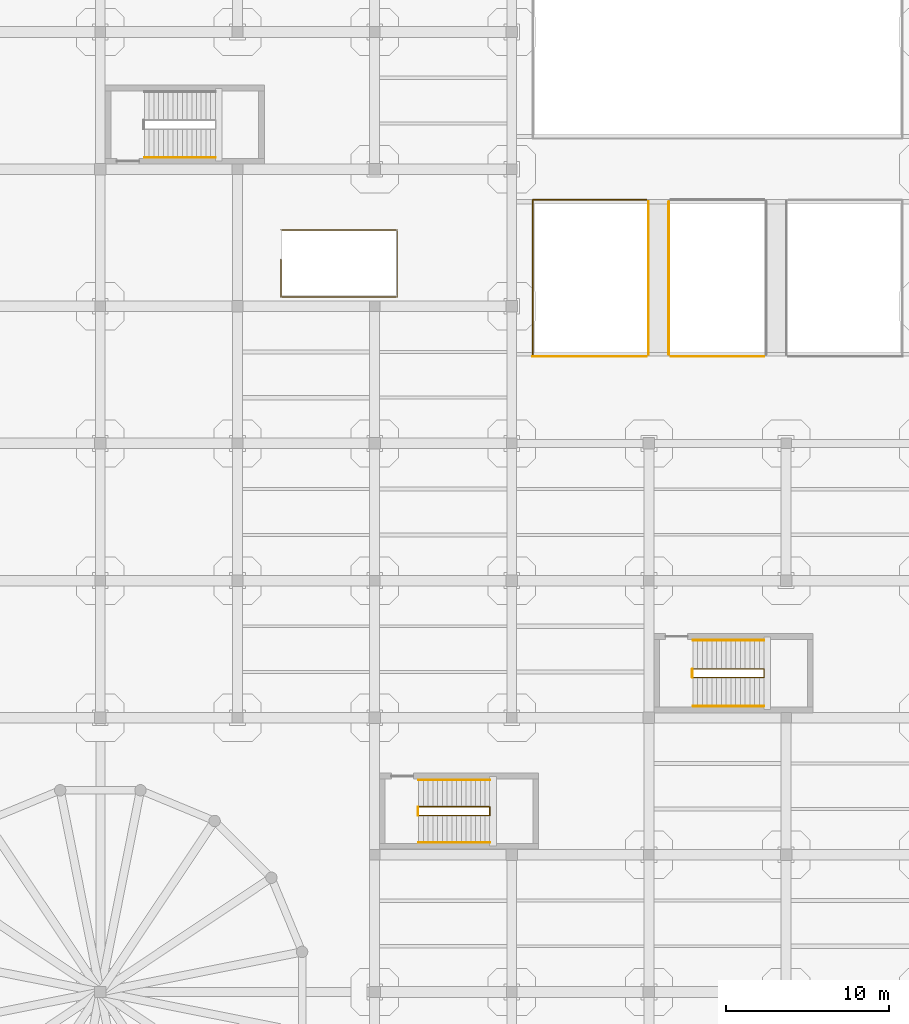
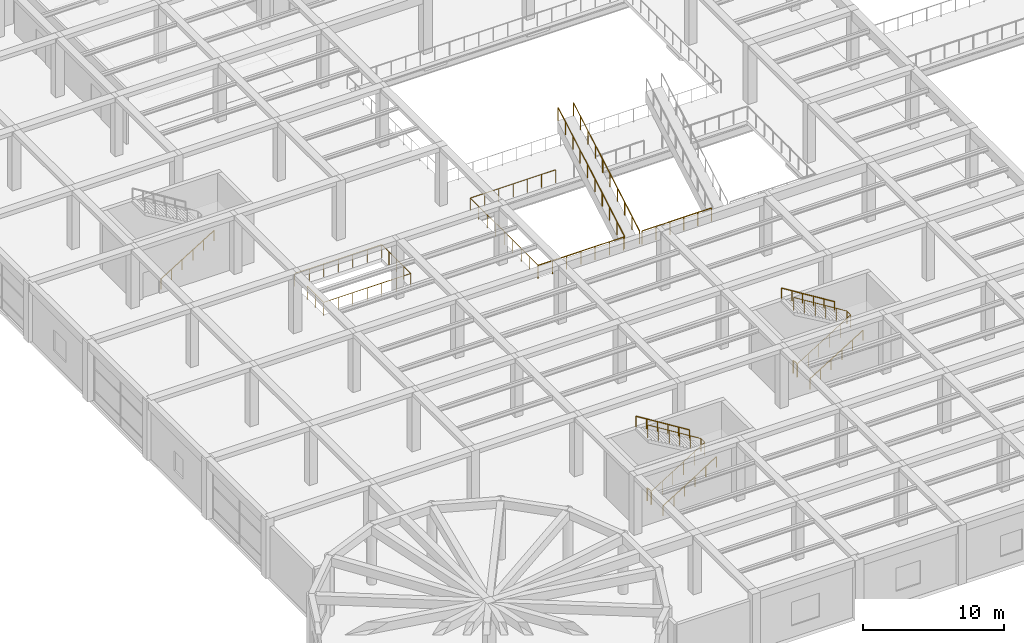
# One storey, part 55 of 65: 15 railings.
"""IFC4 building model written with IfcOpenShell, lengths in metres."""

from ifc_helpers import new_model, si_unit, direction, frame, origin, origin_2d, place, context, subcontext, project, spatial, circle, extrude, material, type_object, element, save


model = new_model("IFC4")

# Units and contexts
model_context = context("Model", 3, precision=1e-05, world=origin(), true_north=direction((0.0, 1.0)))
body_context = subcontext(model_context, "Body", "Model", "MODEL_VIEW")
ifc_project = project(units=[si_unit("LENGTHUNIT", "METRE"), si_unit("AREAUNIT", "SQUARE_METRE"), si_unit("VOLUMEUNIT", "CUBIC_METRE"), si_unit("PLANEANGLEUNIT", "RADIAN"), si_unit("MASSUNIT", "GRAM", prefix="KILO")], contexts=[model_context])

# Site, building, storey
site_placement = place(None, origin())
site = spatial("IfcSite", under=ifc_project, at=site_placement, CompositionType="ELEMENT")
building_placement = place(site_placement, origin())
building = spatial("IfcBuilding", under=site, at=building_placement, Name="Almacenes y Pasaje Nevantli", CompositionType="ELEMENT")
storey_placement = place(building_placement, frame((0.0, 0.0, 16.800048828125)))
storey = spatial("IfcBuildingStorey", under=building, at=storey_placement, Name="L04", CompositionType="ELEMENT", Elevation=16.800048828125)

# Railings
ifc_material_1 = material(Name="Brushed Stainless Steel and Tempered Safety Glass", Category="steel")
railing_type_1 = type_object("IfcRailingType", Name="RL-GUARD-1100", PredefinedType="BALUSTRADE", material=ifc_material_1)
railing_1_placement = place(storey_placement, frame((27.89990234375, 19.2099609375, 0.0)))
element("IfcRailing", 1, at=railing_1_placement, inside=storey, type_object=railing_type_1, Name="L04 Stair ST-04 Inner Well Guard Balustrade", PredefinedType="BALUSTRADE", context=body_context, shape_type="SweptSolid", body=[
    extrude(circle(Radius=0.02392578125, at=origin_2d()), frame((0.025390625, 0.0, 1.1416015625), z_axis=(0.849649743971, 0.0, 0.527347430608), x_axis=(0.0, 1.0, 0.0)), (0.0, 0.0, 1.0), 5.059814453125),
    extrude(circle(Radius=0.02392578125, at=origin_2d()), frame((4.35009765625, 0.030029296875, 3.82568359375), z_axis=(0.0, 1.0, 0.0), x_axis=(-1.0, 0.0, 0.0)), (0.0, 0.0, 1.0), 0.469970703125),
    extrude(circle(Radius=0.02392578125, at=origin_2d()), frame((4.32470703125, 0.530029296875, 3.841552734375), z_axis=(-0.849649743971, 0.0, 0.527347430608), x_axis=(0.0, -1.0, 0.0)), (0.0, 0.0, 1.0), 5.059814453125),
    extrude(circle(Radius=0.02099609375, at=origin_2d()), origin(), (0.0, 0.0, 1.0), 1.096923828125),
    extrude(circle(Radius=0.02099609375, at=origin_2d()), frame((0.8701171875, 0.0, 0.5400390625)), (0.0, 0.0, 1.0), 1.096923828125),
    extrude(circle(Radius=0.02099609375, at=origin_2d()), frame((1.739990234375, 0.0, 1.080078125)), (0.0, 0.0, 1.0), 1.096923828125),
    extrude(circle(Radius=0.02099609375, at=origin_2d()), frame((2.610107421875, 0.0, 1.619873046875)), (0.0, 0.0, 1.0), 1.096923828125),
    extrude(circle(Radius=0.02099609375, at=origin_2d()), frame((3.47998046875, 0.0, 2.159912109375)), (0.0, 0.0, 1.0), 1.096923828125),
    extrude(circle(Radius=0.02099609375, at=origin_2d()), frame((4.35009765625, 0.0, 2.699951171875)), (0.0, 0.0, 1.0), 1.096923828125),
    extrude(circle(Radius=0.02099609375, at=origin_2d()), frame((4.35009765625, 0.530029296875, 2.699951171875)), (0.0, 0.0, 1.0), 1.096923828125),
    extrude(circle(Radius=0.02099609375, at=origin_2d()), frame((3.47998046875, 0.530029296875, 3.239990234375)), (0.0, 0.0, 1.0), 1.096923828125),
    extrude(circle(Radius=0.02099609375, at=origin_2d()), frame((2.610107421875, 0.530029296875, 3.780029296875)), (0.0, 0.0, 1.0), 1.096923828125),
    extrude(circle(Radius=0.02099609375, at=origin_2d()), frame((1.739990234375, 0.530029296875, 4.31982421875)), (0.0, 0.0, 1.0), 1.096923828125),
    extrude(circle(Radius=0.02099609375, at=origin_2d()), frame((0.8701171875, 0.530029296875, 4.85986328125)), (0.0, 0.0, 1.0), 1.096923828125),
    extrude(circle(Radius=0.02099609375, at=origin_2d()), frame((0.0, 0.530029296875, 5.39990234375)), (0.0, 0.0, 1.0), 1.096923828125),
])
railing_2_placement = place(storey_placement, frame((27.860107421875, 19.2099609375, 0.0)))
element("IfcRailing", 2, at=railing_2_placement, inside=storey, type_object=railing_type_1, Name="L04 Stair ST-04 Landing Well Slot Guard", PredefinedType="BALUSTRADE", context=body_context, shape_type="SweptSolid", body=[
    extrude(circle(Radius=0.02392578125, at=origin_2d()), frame((0.0, 0.030029296875, 1.1259765625), z_axis=(0.0, 1.0, 0.0), x_axis=(-1.0, 0.0, 0.0)), (0.0, 0.0, 1.0), 0.469970703125),
    extrude(circle(Radius=0.02099609375, at=origin_2d()), origin(), (0.0, 0.0, 1.0), 1.096923828125),
    extrude(circle(Radius=0.02099609375, at=origin_2d()), frame((0.0, 0.530029296875, 0.0)), (0.0, 0.0, 1.0), 1.096923828125),
])
railing_3_placement = place(storey_placement, frame((44.699951171875, 27.659912109375, 0.0)))
element("IfcRailing", 3, at=railing_3_placement, inside=storey, type_object=railing_type_1, Name="L04 Stair ST-14 Inner Well Guard Balustrade", PredefinedType="BALUSTRADE", context=body_context, shape_type="SweptSolid", body=[
    extrude(circle(Radius=0.02392578125, at=origin_2d()), frame((0.025390625, 0.0, 1.1416015625), z_axis=(0.849649743971, 0.0, 0.527347430608), x_axis=(0.0, 1.0, 0.0)), (0.0, 0.0, 1.0), 5.059814453125),
    extrude(circle(Radius=0.02392578125, at=origin_2d()), frame((4.35009765625, 0.030029296875, 3.82568359375), z_axis=(0.0, 1.0, 0.0), x_axis=(-1.0, 0.0, 0.0)), (0.0, 0.0, 1.0), 0.469970703125),
    extrude(circle(Radius=0.02392578125, at=origin_2d()), frame((4.32470703125, 0.530029296875, 3.841552734375), z_axis=(-0.849649743971, 0.0, 0.527347430608), x_axis=(0.0, -1.0, 0.0)), (0.0, 0.0, 1.0), 5.059814453125),
    extrude(circle(Radius=0.02099609375, at=origin_2d()), origin(), (0.0, 0.0, 1.0), 1.096923828125),
    extrude(circle(Radius=0.02099609375, at=origin_2d()), frame((0.8701171875, 0.0, 0.5400390625)), (0.0, 0.0, 1.0), 1.096923828125),
    extrude(circle(Radius=0.02099609375, at=origin_2d()), frame((1.739990234375, 0.0, 1.080078125)), (0.0, 0.0, 1.0), 1.096923828125),
    extrude(circle(Radius=0.02099609375, at=origin_2d()), frame((2.610107421875, 0.0, 1.619873046875)), (0.0, 0.0, 1.0), 1.096923828125),
    extrude(circle(Radius=0.02099609375, at=origin_2d()), frame((3.47998046875, 0.0, 2.159912109375)), (0.0, 0.0, 1.0), 1.096923828125),
    extrude(circle(Radius=0.02099609375, at=origin_2d()), frame((4.35009765625, 0.0, 2.699951171875)), (0.0, 0.0, 1.0), 1.096923828125),
    extrude(circle(Radius=0.02099609375, at=origin_2d()), frame((4.35009765625, 0.530029296875, 2.699951171875)), (0.0, 0.0, 1.0), 1.096923828125),
    extrude(circle(Radius=0.02099609375, at=origin_2d()), frame((3.47998046875, 0.530029296875, 3.239990234375)), (0.0, 0.0, 1.0), 1.096923828125),
    extrude(circle(Radius=0.02099609375, at=origin_2d()), frame((2.610107421875, 0.530029296875, 3.780029296875)), (0.0, 0.0, 1.0), 1.096923828125),
    extrude(circle(Radius=0.02099609375, at=origin_2d()), frame((1.739990234375, 0.530029296875, 4.31982421875)), (0.0, 0.0, 1.0), 1.096923828125),
    extrude(circle(Radius=0.02099609375, at=origin_2d()), frame((0.8701171875, 0.530029296875, 4.85986328125)), (0.0, 0.0, 1.0), 1.096923828125),
    extrude(circle(Radius=0.02099609375, at=origin_2d()), frame((0.0, 0.530029296875, 5.39990234375)), (0.0, 0.0, 1.0), 1.096923828125),
])
railing_4_placement = place(storey_placement, frame((44.659912109375, 27.659912109375, 0.0)))
element("IfcRailing", 4, at=railing_4_placement, inside=storey, type_object=railing_type_1, Name="L04 Stair ST-14 Landing Well Slot Guard", PredefinedType="BALUSTRADE", context=body_context, shape_type="SweptSolid", body=[
    extrude(circle(Radius=0.02392578125, at=origin_2d()), frame((0.0, 0.030029296875, 1.1259765625), z_axis=(0.0, 1.0, 0.0), x_axis=(-1.0, 0.0, 0.0)), (0.0, 0.0, 1.0), 0.469970703125),
    extrude(circle(Radius=0.02099609375, at=origin_2d()), origin(), (0.0, 0.0, 1.0), 1.096923828125),
    extrude(circle(Radius=0.02099609375, at=origin_2d()), frame((0.0, 0.530029296875, 0.0)), (0.0, 0.0, 1.0), 1.096923828125),
])
railing_5_placement = place(storey_placement, frame((19.4599609375, 53.2900390625, 0.0)))
element("IfcRailing", 5, at=railing_5_placement, inside=storey, type_object=railing_type_1, Name="L04 Monumental Stair ST-11 Top Floor Opening Guard", PredefinedType="BALUSTRADE", context=body_context, shape_type="SweptSolid", body=[
    extrude(circle(Radius=0.02392578125, at=origin_2d()), frame((0.0, -0.030029296875, 1.1259765625), z_axis=(0.0, -1.0, 0.0), x_axis=(1.0, 0.0, 0.0)), (0.0, 0.0, 1.0), 2.260009765625),
    extrude(circle(Radius=0.02392578125, at=origin_2d()), frame((0.030029296875, -2.320068359375, 1.1259765625), z_axis=(1.0, 0.0, 0.0), x_axis=(0.0, 1.0, 0.0)), (0.0, 0.0, 1.0), 7.06005859375),
    extrude(circle(Radius=0.02392578125, at=origin_2d()), frame((7.1201171875, -2.2900390625, 1.1259765625), z_axis=(0.0, 1.0, 0.0), x_axis=(-1.0, 0.0, 0.0)), (0.0, 0.0, 1.0), 4.050048828125),
    extrude(circle(Radius=0.02392578125, at=origin_2d()), frame((7.090087890625, 1.7900390625, 1.1259765625), z_axis=(-1.0, 0.0, 0.0), x_axis=(0.0, -1.0, 0.0)), (0.0, 0.0, 1.0), 7.06005859375),
    extrude(circle(Radius=0.02099609375, at=origin_2d()), origin(), (0.0, 0.0, 1.0), 1.096923828125),
    extrude(circle(Radius=0.02099609375, at=origin_2d()), frame((0.0, -1.16015625, 0.0)), (0.0, 0.0, 1.0), 1.096923828125),
    extrude(circle(Radius=0.02099609375, at=origin_2d()), frame((0.0, -2.320068359375, 0.0)), (0.0, 0.0, 1.0), 1.096923828125),
    extrude(circle(Radius=0.02099609375, at=origin_2d()), frame((1.186767578125, -2.320068359375, 0.0)), (0.0, 0.0, 1.0), 1.096923828125),
    extrude(circle(Radius=0.02099609375, at=origin_2d()), frame((2.373291015625, -2.320068359375, 0.0)), (0.0, 0.0, 1.0), 1.096923828125),
    extrude(circle(Radius=0.02099609375, at=origin_2d()), frame((3.56005859375, -2.320068359375, 0.0)), (0.0, 0.0, 1.0), 1.096923828125),
    extrude(circle(Radius=0.02099609375, at=origin_2d()), frame((4.746826171875, -2.320068359375, 0.0)), (0.0, 0.0, 1.0), 1.096923828125),
    extrude(circle(Radius=0.02099609375, at=origin_2d()), frame((5.933349609375, -2.320068359375, 0.0)), (0.0, 0.0, 1.0), 1.096923828125),
    extrude(circle(Radius=0.02099609375, at=origin_2d()), frame((7.1201171875, -2.320068359375, 0.0)), (0.0, 0.0, 1.0), 1.096923828125),
    extrude(circle(Radius=0.02099609375, at=origin_2d()), frame((7.1201171875, -1.29248046875, 0.0)), (0.0, 0.0, 1.0), 1.096923828125),
    extrude(circle(Radius=0.02099609375, at=origin_2d()), frame((7.1201171875, -0.26513671875, 0.0)), (0.0, 0.0, 1.0), 1.096923828125),
    extrude(circle(Radius=0.02099609375, at=origin_2d()), frame((7.1201171875, 0.762451171875, 0.0)), (0.0, 0.0, 1.0), 1.096923828125),
    extrude(circle(Radius=0.02099609375, at=origin_2d()), frame((7.1201171875, 1.7900390625, 0.0)), (0.0, 0.0, 1.0), 1.096923828125),
    extrude(circle(Radius=0.02099609375, at=origin_2d()), frame((5.933349609375, 1.7900390625, 0.0)), (0.0, 0.0, 1.0), 1.096923828125),
    extrude(circle(Radius=0.02099609375, at=origin_2d()), frame((4.746826171875, 1.7900390625, 0.0)), (0.0, 0.0, 1.0), 1.096923828125),
    extrude(circle(Radius=0.02099609375, at=origin_2d()), frame((3.56005859375, 1.7900390625, 0.0)), (0.0, 0.0, 1.0), 1.096923828125),
    extrude(circle(Radius=0.02099609375, at=origin_2d()), frame((2.373291015625, 1.7900390625, 0.0)), (0.0, 0.0, 1.0), 1.096923828125),
    extrude(circle(Radius=0.02099609375, at=origin_2d()), frame((1.186767578125, 1.7900390625, 0.0)), (0.0, 0.0, 1.0), 1.096923828125),
    extrude(circle(Radius=0.02099609375, at=origin_2d()), frame((0.0, 1.7900390625, 0.0)), (0.0, 0.0, 1.0), 1.096923828125),
])
for number, where, name in (
    (6, (41.97998046875, 47.449951171875, 0.0), "Atrium Escalator ESC-07 W Balustrade"),
    (7, (43.219970703125, 47.449951171875, 0.0), "Atrium Escalator ESC-07 E Balustrade"),
):
    element("IfcRailing", number, at=place(storey_placement, frame(where)), inside=storey, type_object=railing_type_1, Name=name, PredefinedType="BALUSTRADE", context=body_context, shape_type="SweptSolid", body=[
        extrude(circle(Radius=0.02392578125, at=origin_2d()), frame((0.0, 0.02587890625, 1.140869140625), z_axis=(0.0, 0.865960390863, 0.50011258878), x_axis=(-1.0, 0.0, 0.0)), (0.0, 0.0, 1.0), 10.7373046875),
        extrude(circle(Radius=0.02099609375, at=origin_2d()), origin(), (0.0, 0.0, 1.0), 1.096923828125),
        extrude(circle(Radius=0.02099609375, at=origin_2d()), frame((0.0, 1.038818359375, 0.60009765625)), (0.0, 0.0, 1.0), 1.096923828125),
        extrude(circle(Radius=0.02099609375, at=origin_2d()), frame((0.0, 2.077880859375, 1.199951171875)), (0.0, 0.0, 1.0), 1.096923828125),
        extrude(circle(Radius=0.02099609375, at=origin_2d()), frame((0.0, 3.11669921875, 1.800048828125)), (0.0, 0.0, 1.0), 1.096923828125),
        extrude(circle(Radius=0.02099609375, at=origin_2d()), frame((0.0, 4.155517578125, 2.39990234375)), (0.0, 0.0, 1.0), 1.096923828125),
        extrude(circle(Radius=0.02099609375, at=origin_2d()), frame((0.0, 5.194580078125, 3.0)), (0.0, 0.0, 1.0), 1.096923828125),
        extrude(circle(Radius=0.02099609375, at=origin_2d()), frame((0.0, 6.2333984375, 3.599853515625)), (0.0, 0.0, 1.0), 1.096923828125),
        extrude(circle(Radius=0.02099609375, at=origin_2d()), frame((0.0, 7.272216796875, 4.199951171875)), (0.0, 0.0, 1.0), 1.096923828125),
        extrude(circle(Radius=0.02099609375, at=origin_2d()), frame((0.0, 8.311279296875, 4.7998046875)), (0.0, 0.0, 1.0), 1.096923828125),
        extrude(circle(Radius=0.02099609375, at=origin_2d()), frame((0.0, 9.35009765625, 5.39990234375)), (0.0, 0.0, 1.0), 1.096923828125),
    ])
railing_6_placement = place(storey_placement, frame((41.85009765625, 56.919921875, 0.0)))
element("IfcRailing", 8, at=railing_6_placement, inside=storey, type_object=railing_type_1, Name="L04 South Atrium Void West Guard Balustrade", PredefinedType="BALUSTRADE", context=body_context, shape_type="SweptSolid", body=[
    extrude(circle(Radius=0.02392578125, at=origin_2d()), frame((-0.030029296875, 0.0, 1.1259765625), z_axis=(-1.0, 0.0, 0.0), x_axis=(0.0, -1.0, 0.0)), (0.0, 0.0, 1.0), 6.91015625),
    extrude(circle(Radius=0.02392578125, at=origin_2d()), frame((-6.97021484375, -0.030029296875, 1.1259765625), z_axis=(0.0, -1.0, 0.0), x_axis=(1.0, 0.0, 0.0)), (0.0, 0.0, 1.0), 9.52978515625),
    extrude(circle(Radius=0.02099609375, at=origin_2d()), origin(), (0.0, 0.0, 1.0), 1.096923828125),
    extrude(circle(Radius=0.02099609375, at=origin_2d()), frame((-1.16162109375, 0.0, 0.0)), (0.0, 0.0, 1.0), 1.096923828125),
    extrude(circle(Radius=0.02099609375, at=origin_2d()), frame((-2.323486328125, 0.0, 0.0)), (0.0, 0.0, 1.0), 1.096923828125),
    extrude(circle(Radius=0.02099609375, at=origin_2d()), frame((-3.485107421875, 0.0, 0.0)), (0.0, 0.0, 1.0), 1.096923828125),
    extrude(circle(Radius=0.02099609375, at=origin_2d()), frame((-4.646728515625, 0.0, 0.0)), (0.0, 0.0, 1.0), 1.096923828125),
    extrude(circle(Radius=0.02099609375, at=origin_2d()), frame((-5.80859375, 0.0, 0.0)), (0.0, 0.0, 1.0), 1.096923828125),
    extrude(circle(Radius=0.02099609375, at=origin_2d()), frame((-6.97021484375, 0.0, 0.0)), (0.0, 0.0, 1.0), 1.096923828125),
    extrude(circle(Radius=0.02099609375, at=origin_2d()), frame((-6.97021484375, -1.19873046875, 0.0)), (0.0, 0.0, 1.0), 1.096923828125),
    extrude(circle(Radius=0.02099609375, at=origin_2d()), frame((-6.97021484375, -2.3974609375, 0.0)), (0.0, 0.0, 1.0), 1.096923828125),
    extrude(circle(Radius=0.02099609375, at=origin_2d()), frame((-6.97021484375, -3.59619140625, 0.0)), (0.0, 0.0, 1.0), 1.096923828125),
    extrude(circle(Radius=0.02099609375, at=origin_2d()), frame((-6.97021484375, -4.794921875, 0.0)), (0.0, 0.0, 1.0), 1.096923828125),
    extrude(circle(Radius=0.02099609375, at=origin_2d()), frame((-6.97021484375, -5.99365234375, 0.0)), (0.0, 0.0, 1.0), 1.096923828125),
    extrude(circle(Radius=0.02099609375, at=origin_2d()), frame((-6.97021484375, -7.1923828125, 0.0)), (0.0, 0.0, 1.0), 1.096923828125),
    extrude(circle(Radius=0.02099609375, at=origin_2d()), frame((-6.97021484375, -8.39111328125, 0.0)), (0.0, 0.0, 1.0), 1.096923828125),
    extrude(circle(Radius=0.02099609375, at=origin_2d()), frame((-6.97021484375, -9.58984375, 0.0)), (0.0, 0.0, 1.0), 1.096923828125),
])
railing_7_placement = place(storey_placement, frame((34.8798828125, 47.330078125, 0.0)))
element("IfcRailing", 9, at=railing_7_placement, inside=storey, type_object=railing_type_1, Name="L04 South Atrium South-West Guard", PredefinedType="BALUSTRADE", context=body_context, shape_type="SweptSolid", body=[
    extrude(circle(Radius=0.02392578125, at=origin_2d()), frame((0.030029296875, 0.0, 1.1259765625), z_axis=(1.0, 0.0, 0.0), x_axis=(0.0, 1.0, 0.0)), (0.0, 0.0, 1.0), 6.91015625),
    extrude(circle(Radius=0.02099609375, at=origin_2d()), origin(), (0.0, 0.0, 1.0), 1.096923828125),
    extrude(circle(Radius=0.02099609375, at=origin_2d()), frame((1.16162109375, 0.0, 0.0)), (0.0, 0.0, 1.0), 1.096923828125),
    extrude(circle(Radius=0.02099609375, at=origin_2d()), frame((2.323486328125, 0.0, 0.0)), (0.0, 0.0, 1.0), 1.096923828125),
    extrude(circle(Radius=0.02099609375, at=origin_2d()), frame((3.485107421875, 0.0, 0.0)), (0.0, 0.0, 1.0), 1.096923828125),
    extrude(circle(Radius=0.02099609375, at=origin_2d()), frame((4.646728515625, 0.0, 0.0)), (0.0, 0.0, 1.0), 1.096923828125),
    extrude(circle(Radius=0.02099609375, at=origin_2d()), frame((5.80859375, 0.0, 0.0)), (0.0, 0.0, 1.0), 1.096923828125),
    extrude(circle(Radius=0.02099609375, at=origin_2d()), frame((6.97021484375, 0.0, 0.0)), (0.0, 0.0, 1.0), 1.096923828125),
])
railing_8_placement = place(storey_placement, frame((43.35009765625, 47.330078125, 0.0)))
element("IfcRailing", 10, at=railing_8_placement, inside=storey, type_object=railing_type_1, Name="L04 South Atrium South-Mid Guard", PredefinedType="BALUSTRADE", context=body_context, shape_type="SweptSolid", body=[
    extrude(circle(Radius=0.02392578125, at=origin_2d()), frame((0.030029296875, 0.0, 1.1259765625), z_axis=(1.0, 0.0, 0.0), x_axis=(0.0, 1.0, 0.0)), (0.0, 0.0, 1.0), 5.639892578125),
    extrude(circle(Radius=0.02099609375, at=origin_2d()), origin(), (0.0, 0.0, 1.0), 1.096923828125),
    extrude(circle(Radius=0.02099609375, at=origin_2d()), frame((1.139892578125, 0.0, 0.0)), (0.0, 0.0, 1.0), 1.096923828125),
    extrude(circle(Radius=0.02099609375, at=origin_2d()), frame((2.280029296875, 0.0, 0.0)), (0.0, 0.0, 1.0), 1.096923828125),
    extrude(circle(Radius=0.02099609375, at=origin_2d()), frame((3.419921875, 0.0, 0.0)), (0.0, 0.0, 1.0), 1.096923828125),
    extrude(circle(Radius=0.02099609375, at=origin_2d()), frame((4.56005859375, 0.0, 0.0)), (0.0, 0.0, 1.0), 1.096923828125),
    extrude(circle(Radius=0.02099609375, at=origin_2d()), frame((5.699951171875, 0.0, 0.0)), (0.0, 0.0, 1.0), 1.096923828125),
])
ifc_material_2 = material(Name="Brushed Stainless Steel Tube", Category="steel")
railing_type_2 = type_object("IfcRailingType", Name="RL-HANDRAIL-900", PredefinedType="HANDRAIL", material=ifc_material_2)
railing_9_placement = place(storey_placement, frame((27.89990234375, 17.56005859375, 0.0)))
element("IfcRailing", 11, at=railing_9_placement, inside=storey, type_object=railing_type_2, Name="L04 Stair ST-04 Lower Flight Handrail", PredefinedType="HANDRAIL", context=body_context, shape_type="SweptSolid", body=[
    extrude(circle(Radius=0.02392578125, at=origin_2d()), frame((0.025390625, 0.0, 0.8916015625), z_axis=(0.849649743971, 0.0, 0.527347430608), x_axis=(0.0, 1.0, 0.0)), (0.0, 0.0, 1.0), 5.059814453125),
    extrude(circle(Radius=0.02099609375, at=origin_2d()), origin(), (0.0, 0.0, 1.0), 0.846923828125),
    extrude(circle(Radius=0.02099609375, at=origin_2d()), frame((0.8701171875, 0.0, 0.5400390625)), (0.0, 0.0, 1.0), 0.846923828125),
    extrude(circle(Radius=0.02099609375, at=origin_2d()), frame((1.739990234375, 0.0, 1.080078125)), (0.0, 0.0, 1.0), 0.846923828125),
    extrude(circle(Radius=0.02099609375, at=origin_2d()), frame((2.610107421875, 0.0, 1.619873046875)), (0.0, 0.0, 1.0), 0.846923828125),
    extrude(circle(Radius=0.02099609375, at=origin_2d()), frame((3.47998046875, 0.0, 2.159912109375)), (0.0, 0.0, 1.0), 0.846923828125),
    extrude(circle(Radius=0.02099609375, at=origin_2d()), frame((4.35009765625, 0.0, 2.699951171875)), (0.0, 0.0, 1.0), 0.846923828125),
])
railing_10_placement = place(storey_placement, frame((32.25, 21.389892578125, 2.699951171875)))
element("IfcRailing", 12, at=railing_10_placement, inside=storey, type_object=railing_type_2, Name="L04 Stair ST-04 Upper Flight Handrail", PredefinedType="HANDRAIL", context=body_context, shape_type="SweptSolid", body=[
    extrude(circle(Radius=0.02392578125, at=origin_2d()), frame((-0.025390625, 0.0, 0.8916015625), z_axis=(-0.849649743971, 0.0, 0.527347430608), x_axis=(0.0, -1.0, 0.0)), (0.0, 0.0, 1.0), 5.059814453125),
    extrude(circle(Radius=0.02099609375, at=origin_2d()), origin(), (0.0, 0.0, 1.0), 0.846923828125),
    extrude(circle(Radius=0.02099609375, at=origin_2d()), frame((-0.8701171875, 0.0, 0.5400390625)), (0.0, 0.0, 1.0), 0.846923828125),
    extrude(circle(Radius=0.02099609375, at=origin_2d()), frame((-1.739990234375, 0.0, 1.080078125)), (0.0, 0.0, 1.0), 0.846923828125),
    extrude(circle(Radius=0.02099609375, at=origin_2d()), frame((-2.610107421875, 0.0, 1.619873046875)), (0.0, 0.0, 1.0), 0.846923828125),
    extrude(circle(Radius=0.02099609375, at=origin_2d()), frame((-3.47998046875, 0.0, 2.159912109375)), (0.0, 0.0, 1.0), 0.846923828125),
    extrude(circle(Radius=0.02099609375, at=origin_2d()), frame((-4.35009765625, 0.0, 2.699951171875)), (0.0, 0.0, 1.0), 0.846923828125),
])
railing_11_placement = place(storey_placement, frame((11.10009765625, 59.510009765625, 0.0)))
element("IfcRailing", 13, at=railing_11_placement, inside=storey, type_object=railing_type_2, Name="L04 Stair ST-12 Lower Flight Handrail", PredefinedType="HANDRAIL", context=body_context, shape_type="SweptSolid", body=[
    extrude(circle(Radius=0.02392578125, at=origin_2d()), frame((0.025390625, 0.0, 0.8916015625), z_axis=(0.849636482215, 0.0, 0.527368797038), x_axis=(0.0, 1.0, 0.0)), (0.0, 0.0, 1.0), 5.0595703125),
    extrude(circle(Radius=0.02099609375, at=origin_2d()), origin(), (0.0, 0.0, 1.0), 0.846923828125),
    extrude(circle(Radius=0.02099609375, at=origin_2d()), frame((0.869873046875, 0.0, 0.5400390625)), (0.0, 0.0, 1.0), 0.846923828125),
    extrude(circle(Radius=0.02099609375, at=origin_2d()), frame((1.739990234375, 0.0, 1.080078125)), (0.0, 0.0, 1.0), 0.846923828125),
    extrude(circle(Radius=0.02099609375, at=origin_2d()), frame((2.60986328125, 0.0, 1.619873046875)), (0.0, 0.0, 1.0), 0.846923828125),
    extrude(circle(Radius=0.02099609375, at=origin_2d()), frame((3.47998046875, 0.0, 2.159912109375)), (0.0, 0.0, 1.0), 0.846923828125),
    extrude(circle(Radius=0.02099609375, at=origin_2d()), frame((4.349853515625, 0.0, 2.699951171875)), (0.0, 0.0, 1.0), 0.846923828125),
])
railing_12_placement = place(storey_placement, frame((44.699951171875, 25.909912109375, 0.0)))
element("IfcRailing", 14, at=railing_12_placement, inside=storey, type_object=railing_type_2, Name="L04 Stair ST-14 Lower Flight Handrail", PredefinedType="HANDRAIL", context=body_context, shape_type="SweptSolid", body=[
    extrude(circle(Radius=0.02392578125, at=origin_2d()), frame((0.025390625, 0.0, 0.8916015625), z_axis=(0.849649743971, 0.0, 0.527347430608), x_axis=(0.0, 1.0, 0.0)), (0.0, 0.0, 1.0), 5.059814453125),
    extrude(circle(Radius=0.02099609375, at=origin_2d()), origin(), (0.0, 0.0, 1.0), 0.846923828125),
    extrude(circle(Radius=0.02099609375, at=origin_2d()), frame((0.8701171875, 0.0, 0.5400390625)), (0.0, 0.0, 1.0), 0.846923828125),
    extrude(circle(Radius=0.02099609375, at=origin_2d()), frame((1.739990234375, 0.0, 1.080078125)), (0.0, 0.0, 1.0), 0.846923828125),
    extrude(circle(Radius=0.02099609375, at=origin_2d()), frame((2.610107421875, 0.0, 1.619873046875)), (0.0, 0.0, 1.0), 0.846923828125),
    extrude(circle(Radius=0.02099609375, at=origin_2d()), frame((3.47998046875, 0.0, 2.159912109375)), (0.0, 0.0, 1.0), 0.846923828125),
    extrude(circle(Radius=0.02099609375, at=origin_2d()), frame((4.35009765625, 0.0, 2.699951171875)), (0.0, 0.0, 1.0), 0.846923828125),
])
railing_13_placement = place(storey_placement, frame((49.050048828125, 29.93994140625, 2.699951171875)))
element("IfcRailing", 15, at=railing_13_placement, inside=storey, type_object=railing_type_2, Name="L04 Stair ST-14 Upper Flight Handrail", PredefinedType="HANDRAIL", context=body_context, shape_type="SweptSolid", body=[
    extrude(circle(Radius=0.02392578125, at=origin_2d()), frame((-0.025390625, 0.0, 0.8916015625), z_axis=(-0.849649743971, 0.0, 0.527347430608), x_axis=(0.0, -1.0, 0.0)), (0.0, 0.0, 1.0), 5.059814453125),
    extrude(circle(Radius=0.02099609375, at=origin_2d()), origin(), (0.0, 0.0, 1.0), 0.846923828125),
    extrude(circle(Radius=0.02099609375, at=origin_2d()), frame((-0.8701171875, 0.0, 0.5400390625)), (0.0, 0.0, 1.0), 0.846923828125),
    extrude(circle(Radius=0.02099609375, at=origin_2d()), frame((-1.739990234375, 0.0, 1.080078125)), (0.0, 0.0, 1.0), 0.846923828125),
    extrude(circle(Radius=0.02099609375, at=origin_2d()), frame((-2.610107421875, 0.0, 1.619873046875)), (0.0, 0.0, 1.0), 0.846923828125),
    extrude(circle(Radius=0.02099609375, at=origin_2d()), frame((-3.47998046875, 0.0, 2.159912109375)), (0.0, 0.0, 1.0), 0.846923828125),
    extrude(circle(Radius=0.02099609375, at=origin_2d()), frame((-4.35009765625, 0.0, 2.699951171875)), (0.0, 0.0, 1.0), 0.846923828125),
])

save(model, "model.ifc")
